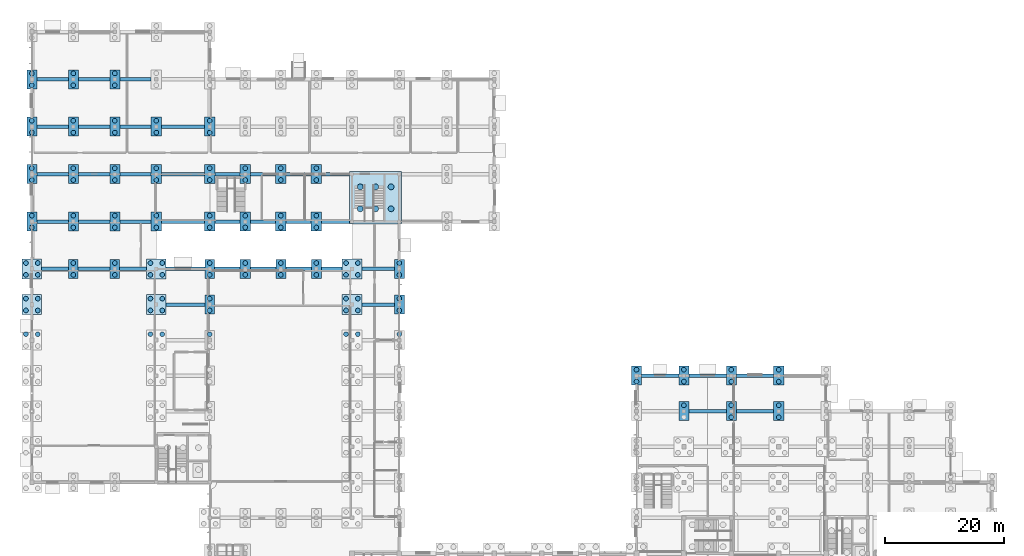
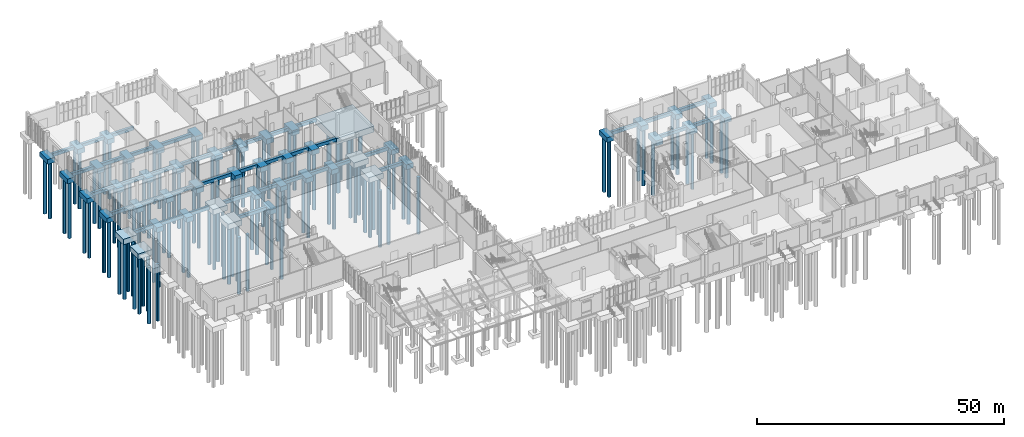
# One storey, part 3 of 69: 117 piles, 86 footings.
"""IFC4 building model written with IfcOpenShell, lengths in metres."""

from ifc_helpers import new_model, si_unit, direction, frame, origin, origin_2d, place, context, subcontext, project, spatial, rectangle, circle, extrude, material, material_profile, profile_set, type_object, element, save


model = new_model("IFC4")

# Units and contexts
model_context = context("Model", 3, precision=1e-05, world=origin(), true_north=direction((0.0, 1.0)))
body_context = subcontext(model_context, "Body", "Model", "MODEL_VIEW")
ifc_project = project(units=[si_unit("LENGTHUNIT", "METRE"), si_unit("AREAUNIT", "SQUARE_METRE"), si_unit("VOLUMEUNIT", "CUBIC_METRE"), si_unit("PLANEANGLEUNIT", "RADIAN"), si_unit("MASSUNIT", "GRAM", prefix="KILO")], contexts=[model_context])

# Site, building, storey
site_placement = place(None, origin())
site = spatial("IfcSite", under=ifc_project, at=site_placement, CompositionType="ELEMENT")
building_placement = place(site_placement, origin())
building = spatial("IfcBuilding", under=site, at=building_placement, Name="Solvane Community Centre", CompositionType="ELEMENT")
storey_placement = place(building_placement, origin())
storey = spatial("IfcBuildingStorey", under=building, at=storey_placement, Name="L00", CompositionType="ELEMENT", Elevation=0.0)

# Piles
ifc_material = material(Name="Concrete C28/35", Category="concrete")
ifc_material_profile_1 = material_profile(ifc_material, circle(Radius=0.5, at=origin_2d()), Name="PILE D1000")
ifc_profile_set_1 = profile_set([ifc_material_profile_1], Name="Concrete C28/35")
pile_type_1 = type_object("IfcPileType", Name="Bored Saprolite Pile D1000", PredefinedType="BORED", material=ifc_profile_set_1)
for number, where, z_axis, x_axis, name in (
    (1, (61.39990234375, 88.14990234375, -1.679931640625), (0.0, 0.0, -1.0), (1.0, 0.0, 0.0), "Bored Pile PILE-C7-11"),
    (2, (61.39990234375, 91.85009765625, -1.679931640625), (0.0, 0.0, -1.0), (1.0, 0.0, 0.0), "Bored Pile PILE-C7-12"),
    (3, (64.0, 88.14990234375, -1.679931640625), (0.0, 0.0, -1.0), (1.0, 0.0, 0.0), "Bored Pile PILE-C7-21"),
    (4, (64.0, 91.85009765625, -1.679931640625), (0.0, 0.0, -1.0), (1.0, 0.0, 0.0), "Bored Pile PILE-C7-22"),
    (5, (66.60009765625, 88.14990234375, -1.679931640625), (0.0, 0.0, -1.0), (1.0, 0.0, 0.0), "Bored Pile PILE-C7-31"),
    (6, (66.60009765625, 91.85009765625, -1.679931640625), (0.0, 0.0, -1.0), (1.0, 0.0, 0.0), "Bored Pile PILE-C7-32"),
):
    element("IfcPile", number, at=place(storey_placement, frame(where, z_axis=z_axis, x_axis=x_axis)), inside=storey, type_object=pile_type_1, Name=name, PredefinedType="BORED", context=body_context, shape_type="SweptSolid", body=[
        extrude(circle(Radius=0.5, at=origin_2d()), origin(), (0.0, 0.0, 1.0), 14.0),
    ])
ifc_material_profile_2 = material_profile(ifc_material, circle(Radius=0.39990234375, at=origin_2d()), Name="PILE D800")
ifc_profile_set_2 = profile_set([ifc_material_profile_2], Name="Concrete C28/35")
pile_type_2 = type_object("IfcPileType", Name="Bored Saprolite Pile D800", PredefinedType="BORED", material=ifc_profile_set_2)
for number, where, z_axis, x_axis, name in (
    (7, (5.0, 67.0, -1.530029296875), (0.0, 0.0, -1.0), (1.0, 0.0, 0.0), "Bored Pile PILE-1-K-3"),
    (8, (7.0, 67.0, -1.530029296875), (0.0, 0.0, -1.0), (1.0, 0.0, 0.0), "Bored Pile PILE-1-K-4"),
    (9, (5.0, 71.0, -1.530029296875), (0.0, 0.0, -1.0), (1.0, 0.0, 0.0), "Bored Pile PILE-1-L-1"),
    (10, (7.0, 71.0, -1.530029296875), (0.0, 0.0, -1.0), (1.0, 0.0, 0.0), "Bored Pile PILE-1-L-2"),
    (11, (5.0, 73.0, -1.530029296875), (0.0, 0.0, -1.0), (1.0, 0.0, 0.0), "Bored Pile PILE-1-L-3"),
    (12, (7.0, 73.0, -1.530029296875), (0.0, 0.0, -1.0), (1.0, 0.0, 0.0), "Bored Pile PILE-1-L-4"),
    (13, (5.0, 77.0, -1.530029296875), (0.0, 0.0, -1.0), (1.0, 0.0, 0.0), "Bored Pile PILE-1-M-1"),
    (14, (7.0, 77.0, -1.530029296875), (0.0, 0.0, -1.0), (1.0, 0.0, 0.0), "Bored Pile PILE-1-M-2"),
    (15, (5.0, 79.0, -1.530029296875), (0.0, 0.0, -1.0), (1.0, 0.0, 0.0), "Bored Pile PILE-1-M-3"),
    (16, (7.0, 79.0, -1.530029296875), (0.0, 0.0, -1.0), (1.0, 0.0, 0.0), "Bored Pile PILE-1-M-4"),
    (17, (6.0, 85.0, -1.3798828125), (0.0, 0.0, -1.0), (1.0, 0.0, 0.0), "Bored Pile PILE-1-N-1"),
    (18, (6.0, 87.0, -1.3798828125), (0.0, 0.0, -1.0), (1.0, 0.0, 0.0), "Bored Pile PILE-1-N-2"),
    (19, (6.0, 93.0, -1.3798828125), (0.0, 0.0, -1.0), (1.0, 0.0, 0.0), "Bored Pile PILE-1-P-1"),
    (20, (6.0, 95.0, -1.3798828125), (0.0, 0.0, -1.0), (1.0, 0.0, 0.0), "Bored Pile PILE-1-P-2"),
    (21, (6.0, 101.0, -1.3798828125), (0.0, 0.0, -1.0), (1.0, 0.0, 0.0), "Bored Pile PILE-1-Q-1"),
    (22, (6.0, 103.0, -1.3798828125), (0.0, 0.0, -1.0), (1.0, 0.0, 0.0), "Bored Pile PILE-1-Q-2"),
    (23, (6.0, 109.0, -1.3798828125), (0.0, 0.0, -1.0), (1.0, 0.0, 0.0), "Bored Pile PILE-1-R-1"),
    (24, (6.0, 111.0, -1.3798828125), (0.0, 0.0, -1.0), (1.0, 0.0, 0.0), "Bored Pile PILE-1-R-2"),
    (25, (13.0, 77.0, -1.3798828125), (0.0, 0.0, -1.0), (1.0, 0.0, 0.0), "Bored Pile PILE-2-M-1"),
    (26, (13.0, 79.0, -1.3798828125), (0.0, 0.0, -1.0), (1.0, 0.0, 0.0), "Bored Pile PILE-2-M-2"),
    (27, (13.0, 85.0, -1.3798828125), (0.0, 0.0, -1.0), (1.0, 0.0, 0.0), "Bored Pile PILE-2-N-1"),
    (28, (13.0, 87.0, -1.3798828125), (0.0, 0.0, -1.0), (1.0, 0.0, 0.0), "Bored Pile PILE-2-N-2"),
    (29, (13.0, 93.0, -1.3798828125), (0.0, 0.0, -1.0), (1.0, 0.0, 0.0), "Bored Pile PILE-2-P-1"),
    (30, (13.0, 95.0, -1.3798828125), (0.0, 0.0, -1.0), (1.0, 0.0, 0.0), "Bored Pile PILE-2-P-2"),
    (31, (13.0, 101.0, -1.3798828125), (0.0, 0.0, -1.0), (1.0, 0.0, 0.0), "Bored Pile PILE-2-Q-1"),
    (32, (13.0, 103.0, -1.3798828125), (0.0, 0.0, -1.0), (1.0, 0.0, 0.0), "Bored Pile PILE-2-Q-2"),
    (33, (13.0, 109.0, -1.3798828125), (0.0, 0.0, -1.0), (1.0, 0.0, 0.0), "Bored Pile PILE-2-R-1"),
    (34, (13.0, 111.0, -1.3798828125), (0.0, 0.0, -1.0), (1.0, 0.0, 0.0), "Bored Pile PILE-2-R-2"),
    (35, (20.0, 77.0, -1.3798828125), (0.0, 0.0, -1.0), (1.0, 0.0, 0.0), "Bored Pile PILE-4-M-1"),
    (36, (20.0, 79.0, -1.3798828125), (0.0, 0.0, -1.0), (1.0, 0.0, 0.0), "Bored Pile PILE-4-M-2"),
    (37, (20.0, 85.0, -1.3798828125), (0.0, 0.0, -1.0), (1.0, 0.0, 0.0), "Bored Pile PILE-4-N-1"),
    (38, (20.0, 87.0, -1.3798828125), (0.0, 0.0, -1.0), (1.0, 0.0, 0.0), "Bored Pile PILE-4-N-2"),
    (39, (20.0, 93.0, -1.3798828125), (0.0, 0.0, -1.0), (1.0, 0.0, 0.0), "Bored Pile PILE-4-P-1"),
    (40, (20.0, 95.0, -1.3798828125), (0.0, 0.0, -1.0), (1.0, 0.0, 0.0), "Bored Pile PILE-4-P-2"),
    (41, (20.0, 101.0, -1.3798828125), (0.0, 0.0, -1.0), (1.0, 0.0, 0.0), "Bored Pile PILE-4-Q-1"),
    (42, (20.0, 103.0, -1.3798828125), (0.0, 0.0, -1.0), (1.0, 0.0, 0.0), "Bored Pile PILE-4-Q-2"),
    (43, (20.0, 109.0, -1.3798828125), (0.0, 0.0, -1.0), (1.0, 0.0, 0.0), "Bored Pile PILE-4-R-1"),
    (44, (20.0, 111.0, -1.3798828125), (0.0, 0.0, -1.0), (1.0, 0.0, 0.0), "Bored Pile PILE-4-R-2"),
    (45, (26.0, 67.0, -1.530029296875), (0.0, 0.0, -1.0), (1.0, 0.0, 0.0), "Bored Pile PILE-5-K-3"),
    (46, (28.0, 67.0, -1.530029296875), (0.0, 0.0, -1.0), (1.0, 0.0, 0.0), "Bored Pile PILE-5-K-4"),
    (47, (26.0, 71.0, -1.530029296875), (0.0, 0.0, -1.0), (1.0, 0.0, 0.0), "Bored Pile PILE-5-L-1"),
    (48, (28.0, 71.0, -1.530029296875), (0.0, 0.0, -1.0), (1.0, 0.0, 0.0), "Bored Pile PILE-5-L-2"),
    (49, (26.0, 73.0, -1.530029296875), (0.0, 0.0, -1.0), (1.0, 0.0, 0.0), "Bored Pile PILE-5-L-3"),
    (50, (28.0, 73.0, -1.530029296875), (0.0, 0.0, -1.0), (1.0, 0.0, 0.0), "Bored Pile PILE-5-L-4"),
    (51, (26.0, 77.0, -1.530029296875), (0.0, 0.0, -1.0), (1.0, 0.0, 0.0), "Bored Pile PILE-5-M-1"),
    (52, (28.0, 77.0, -1.530029296875), (0.0, 0.0, -1.0), (1.0, 0.0, 0.0), "Bored Pile PILE-5-M-2"),
    (53, (26.0, 79.0, -1.530029296875), (0.0, 0.0, -1.0), (1.0, 0.0, 0.0), "Bored Pile PILE-5-M-3"),
    (54, (28.0, 79.0, -1.530029296875), (0.0, 0.0, -1.0), (1.0, 0.0, 0.0), "Bored Pile PILE-5-M-4"),
    (55, (27.0, 85.0, -1.429931640625), (0.0, 0.0, -1.0), (1.0, 0.0, 0.0), "Bored Pile PILE-5-N-1"),
    (56, (27.0, 87.0, -1.429931640625), (0.0, 0.0, -1.0), (1.0, 0.0, 0.0), "Bored Pile PILE-5-N-2"),
    (57, (27.0, 93.0, -1.429931640625), (0.0, 0.0, -1.0), (1.0, 0.0, 0.0), "Bored Pile PILE-5-P-1"),
    (58, (27.0, 95.0, -1.429931640625), (0.0, 0.0, -1.0), (1.0, 0.0, 0.0), "Bored Pile PILE-5-P-2"),
    (59, (27.0, 101.0, -1.429931640625), (0.0, 0.0, -1.0), (1.0, 0.0, 0.0), "Bored Pile PILE-5-Q-1"),
    (60, (27.0, 103.0, -1.429931640625), (0.0, 0.0, -1.0), (1.0, 0.0, 0.0), "Bored Pile PILE-5-Q-2"),
    (61, (36.0, 67.0, -1.3798828125), (0.0, 0.0, -1.0), (1.0, 0.0, 0.0), "Bored Pile PILE-6-K-2"),
    (62, (36.0, 71.0, -1.3798828125), (0.0, 0.0, -1.0), (1.0, 0.0, 0.0), "Bored Pile PILE-6-L-1"),
    (63, (36.0, 73.0, -1.3798828125), (0.0, 0.0, -1.0), (1.0, 0.0, 0.0), "Bored Pile PILE-6-L-2"),
    (64, (36.0, 77.0, -1.3798828125), (0.0, 0.0, -1.0), (1.0, 0.0, 0.0), "Bored Pile PILE-6-M-1"),
    (65, (36.0, 79.0, -1.3798828125), (0.0, 0.0, -1.0), (1.0, 0.0, 0.0), "Bored Pile PILE-6-M-2"),
    (66, (36.0, 85.0, -1.429931640625), (0.0, 0.0, -1.0), (1.0, 0.0, 0.0), "Bored Pile PILE-6-N-1"),
    (67, (36.0, 87.0, -1.429931640625), (0.0, 0.0, -1.0), (1.0, 0.0, 0.0), "Bored Pile PILE-6-N-2"),
    (68, (36.0, 93.0, -1.429931640625), (0.0, 0.0, -1.0), (1.0, 0.0, 0.0), "Bored Pile PILE-6-P-1"),
    (69, (36.0, 95.0, -1.429931640625), (0.0, 0.0, -1.0), (1.0, 0.0, 0.0), "Bored Pile PILE-6-P-2"),
    (70, (36.0, 101.0, -1.429931640625), (0.0, 0.0, -1.0), (1.0, 0.0, 0.0), "Bored Pile PILE-6-Q-1"),
    (71, (36.0, 103.0, -1.429931640625), (0.0, 0.0, -1.0), (1.0, 0.0, 0.0), "Bored Pile PILE-6-Q-2"),
    (72, (42.0, 77.0, -1.3798828125), (0.0, 0.0, -1.0), (1.0, 0.0, 0.0), "Bored Pile PILE-7-M-1"),
    (73, (42.0, 79.0, -1.3798828125), (0.0, 0.0, -1.0), (1.0, 0.0, 0.0), "Bored Pile PILE-7-M-2"),
    (74, (42.0, 85.0, -1.429931640625), (0.0, 0.0, -1.0), (1.0, 0.0, 0.0), "Bored Pile PILE-7-N-1"),
    (75, (42.0, 87.0, -1.429931640625), (0.0, 0.0, -1.0), (1.0, 0.0, 0.0), "Bored Pile PILE-7-N-2"),
    (76, (42.0, 93.0, -1.429931640625), (0.0, 0.0, -1.0), (1.0, 0.0, 0.0), "Bored Pile PILE-7-P-1"),
    (77, (42.0, 95.0, -1.429931640625), (0.0, 0.0, -1.0), (1.0, 0.0, 0.0), "Bored Pile PILE-7-P-2"),
    (78, (48.0, 77.0, -1.3798828125), (0.0, 0.0, -1.0), (1.0, 0.0, 0.0), "Bored Pile PILE-8-M-1"),
    (79, (48.0, 79.0, -1.3798828125), (0.0, 0.0, -1.0), (1.0, 0.0, 0.0), "Bored Pile PILE-8-M-2"),
    (80, (48.0, 85.0, -1.429931640625), (0.0, 0.0, -1.0), (1.0, 0.0, 0.0), "Bored Pile PILE-8-N-1"),
    (81, (48.0, 87.0, -1.429931640625), (0.0, 0.0, -1.0), (1.0, 0.0, 0.0), "Bored Pile PILE-8-N-2"),
    (82, (48.0, 93.0, -1.429931640625), (0.0, 0.0, -1.0), (1.0, 0.0, 0.0), "Bored Pile PILE-8-P-1"),
    (83, (48.0, 95.0, -1.429931640625), (0.0, 0.0, -1.0), (1.0, 0.0, 0.0), "Bored Pile PILE-8-P-2"),
    (84, (54.0, 77.0, -1.3798828125), (0.0, 0.0, -1.0), (1.0, 0.0, 0.0), "Bored Pile PILE-9-M-1"),
    (85, (54.0, 79.0, -1.3798828125), (0.0, 0.0, -1.0), (1.0, 0.0, 0.0), "Bored Pile PILE-9-M-2"),
    (86, (54.0, 85.0, -1.429931640625), (0.0, 0.0, -1.0), (1.0, 0.0, 0.0), "Bored Pile PILE-9-N-1"),
    (87, (54.0, 87.0, -1.429931640625), (0.0, 0.0, -1.0), (1.0, 0.0, 0.0), "Bored Pile PILE-9-N-2"),
    (88, (54.0, 93.0, -1.429931640625), (0.0, 0.0, -1.0), (1.0, 0.0, 0.0), "Bored Pile PILE-9-P-1"),
    (89, (54.0, 95.0, -1.429931640625), (0.0, 0.0, -1.0), (1.0, 0.0, 0.0), "Bored Pile PILE-9-P-2"),
    (90, (59.0, 67.0, -1.530029296875), (0.0, 0.0, -1.0), (1.0, 0.0, 0.0), "Bored Pile PILE-10-K-3"),
    (91, (61.0, 67.0, -1.530029296875), (0.0, 0.0, -1.0), (1.0, 0.0, 0.0), "Bored Pile PILE-10-K-4"),
    (92, (59.0, 71.0, -1.530029296875), (0.0, 0.0, -1.0), (1.0, 0.0, 0.0), "Bored Pile PILE-10-L-1"),
    (93, (61.0, 71.0, -1.530029296875), (0.0, 0.0, -1.0), (1.0, 0.0, 0.0), "Bored Pile PILE-10-L-2"),
    (94, (59.0, 73.0, -1.530029296875), (0.0, 0.0, -1.0), (1.0, 0.0, 0.0), "Bored Pile PILE-10-L-3"),
    (95, (61.0, 73.0, -1.530029296875), (0.0, 0.0, -1.0), (1.0, 0.0, 0.0), "Bored Pile PILE-10-L-4"),
    (96, (59.0, 77.0, -1.530029296875), (0.0, 0.0, -1.0), (1.0, 0.0, 0.0), "Bored Pile PILE-10-M-1"),
    (97, (61.0, 77.0, -1.530029296875), (0.0, 0.0, -1.0), (1.0, 0.0, 0.0), "Bored Pile PILE-10-M-2"),
    (98, (59.0, 79.0, -1.530029296875), (0.0, 0.0, -1.0), (1.0, 0.0, 0.0), "Bored Pile PILE-10-M-3"),
    (99, (61.0, 79.0, -1.530029296875), (0.0, 0.0, -1.0), (1.0, 0.0, 0.0), "Bored Pile PILE-10-M-4"),
    (100, (68.0, 67.0, -1.3798828125), (0.0, 0.0, -1.0), (1.0, 0.0, 0.0), "Bored Pile PILE-11-K-2"),
    (101, (68.0, 71.0, -1.3798828125), (0.0, 0.0, -1.0), (1.0, 0.0, 0.0), "Bored Pile PILE-11-L-1"),
    (102, (68.0, 73.0, -1.3798828125), (0.0, 0.0, -1.0), (1.0, 0.0, 0.0), "Bored Pile PILE-11-L-2"),
    (103, (68.0, 77.0, -1.3798828125), (0.0, 0.0, -1.0), (1.0, 0.0, 0.0), "Bored Pile PILE-11-M-1"),
    (104, (68.0, 79.0, -1.3798828125), (0.0, 0.0, -1.0), (1.0, 0.0, 0.0), "Bored Pile PILE-11-M-2"),
    (105, (108.0, 59.0, -1.3798828125), (0.0, 0.0, -1.0), (1.0, 0.0, 0.0), "Bored Pile PILE-16-J-1"),
    (106, (108.0, 61.0, -1.3798828125), (0.0, 0.0, -1.0), (1.0, 0.0, 0.0), "Bored Pile PILE-16-J-2"),
    (107, (116.0, 55.0, -1.429931640625), (0.0, 0.0, -1.0), (1.0, 0.0, 0.0), "Bored Pile PILE-17-H-2"),
    (108, (116.0, 59.0, -1.429931640625), (0.0, 0.0, -1.0), (1.0, 0.0, 0.0), "Bored Pile PILE-17-J-1"),
    (109, (116.0, 61.0, -1.429931640625), (0.0, 0.0, -1.0), (1.0, 0.0, 0.0), "Bored Pile PILE-17-J-2"),
    (110, (124.0, 53.0, -1.429931640625), (0.0, 0.0, -1.0), (1.0, 0.0, 0.0), "Bored Pile PILE-18-H-1"),
    (111, (124.0, 55.0, -1.429931640625), (0.0, 0.0, -1.0), (1.0, 0.0, 0.0), "Bored Pile PILE-18-H-2"),
    (112, (124.0, 59.0, -1.429931640625), (0.0, 0.0, -1.0), (1.0, 0.0, 0.0), "Bored Pile PILE-18-J-1"),
    (113, (124.0, 61.0, -1.429931640625), (0.0, 0.0, -1.0), (1.0, 0.0, 0.0), "Bored Pile PILE-18-J-2"),
    (114, (132.0, 53.0, -1.429931640625), (0.0, 0.0, -1.0), (1.0, 0.0, 0.0), "Bored Pile PILE-19-H-1"),
    (115, (132.0, 55.0, -1.429931640625), (0.0, 0.0, -1.0), (1.0, 0.0, 0.0), "Bored Pile PILE-19-H-2"),
    (116, (132.0, 59.0, -1.429931640625), (0.0, 0.0, -1.0), (1.0, 0.0, 0.0), "Bored Pile PILE-19-J-1"),
    (117, (132.0, 61.0, -1.429931640625), (0.0, 0.0, -1.0), (1.0, 0.0, 0.0), "Bored Pile PILE-19-J-2"),
):
    element("IfcPile", number, at=place(storey_placement, frame(where, z_axis=z_axis, x_axis=x_axis)), inside=storey, type_object=pile_type_2, Name=name, PredefinedType="BORED", context=body_context, shape_type="SweptSolid", body=[
        extrude(circle(Radius=0.39990234375, at=origin_2d()), origin(), (0.0, 0.0, 1.0), 14.0),
    ])

# Footings
footing_type_1 = type_object("IfcFootingType", Name="Core Mat Cap MC1 8800x8800x1500", PredefinedType="PILE_CAP", material=ifc_material)
footing_1_placement = place(storey_placement, frame((64.0, 90.0, -1.780029296875), z_axis=(0.0, 0.0, 1.0), x_axis=(1.0, 0.0, 0.0)))
element("IfcFooting", 118, at=footing_1_placement, inside=storey, type_object=footing_type_1, Name="Core Pile Cap C7", PredefinedType="PILE_CAP", context=body_context, shape_type="SweptSolid", body=[
    extrude(rectangle(XDim=8.800048828125, YDim=8.800048828125, at=origin_2d()), origin(), (0.0, 0.0, 1.0), 1.5),
])
footing_type_2 = type_object("IfcFootingType", Name="Pile Cap 160x320x120cm", PredefinedType="PILE_CAP", material=ifc_material)
for number, where, z_axis, x_axis, name in (
    (119, (13.0, 78.0, -1.47998046875), (0.0, 0.0, 1.0), (1.0, 0.0, 0.0), "Pile Cap 2M"),
    (120, (20.0, 78.0, -1.47998046875), (0.0, 0.0, 1.0), (1.0, 0.0, 0.0), "Pile Cap 4M"),
    (121, (36.0, 72.0, -1.47998046875), (0.0, 0.0, 1.0), (1.0, 0.0, 0.0), "Pile Cap 6L"),
    (122, (36.0, 78.0, -1.47998046875), (0.0, 0.0, 1.0), (1.0, 0.0, 0.0), "Pile Cap 6M"),
):
    element("IfcFooting", number, at=place(storey_placement, frame(where, z_axis=z_axis, x_axis=x_axis)), inside=storey, type_object=footing_type_2, Name=name, PredefinedType="PILE_CAP", context=body_context, shape_type="SweptSolid", body=[
        extrude(rectangle(XDim=1.60009765625, YDim=3.199951171875, at=origin_2d()), origin(), (0.0, 0.0, 1.0), 1.199951171875),
    ])
footing_type_3 = type_object("IfcFootingType", Name="Pile Cap 170x320x120cm", PredefinedType="PILE_CAP", material=ifc_material)
for number, where, z_axis, x_axis, name in (
    (123, (6.0, 86.0, -1.47998046875), (0.0, 0.0, 1.0), (1.0, 0.0, 0.0), "Pile Cap 1N"),
    (124, (6.0, 94.0, -1.47998046875), (0.0, 0.0, 1.0), (1.0, 0.0, 0.0), "Pile Cap 1P"),
    (125, (6.0, 102.0, -1.47998046875), (0.0, 0.0, 1.0), (1.0, 0.0, 0.0), "Pile Cap 1Q"),
    (126, (6.0, 110.0, -1.47998046875), (0.0, 0.0, 1.0), (1.0, 0.0, 0.0), "Pile Cap 1R"),
    (127, (13.0, 86.0, -1.47998046875), (0.0, 0.0, 1.0), (1.0, 0.0, 0.0), "Pile Cap 2N"),
    (128, (13.0, 94.0, -1.47998046875), (0.0, 0.0, 1.0), (1.0, 0.0, 0.0), "Pile Cap 2P"),
    (129, (13.0, 102.0, -1.47998046875), (0.0, 0.0, 1.0), (1.0, 0.0, 0.0), "Pile Cap 2Q"),
    (130, (13.0, 110.0, -1.47998046875), (0.0, 0.0, 1.0), (1.0, 0.0, 0.0), "Pile Cap 2R"),
    (131, (20.0, 86.0, -1.47998046875), (0.0, 0.0, 1.0), (1.0, 0.0, 0.0), "Pile Cap 4N"),
    (132, (20.0, 94.0, -1.47998046875), (0.0, 0.0, 1.0), (1.0, 0.0, 0.0), "Pile Cap 4P"),
    (133, (20.0, 102.0, -1.47998046875), (0.0, 0.0, 1.0), (1.0, 0.0, 0.0), "Pile Cap 4Q"),
    (134, (20.0, 110.0, -1.47998046875), (0.0, 0.0, 1.0), (1.0, 0.0, 0.0), "Pile Cap 4R"),
    (135, (42.0, 78.0, -1.47998046875), (0.0, 0.0, 1.0), (1.0, 0.0, 0.0), "Pile Cap 7M"),
    (136, (48.0, 78.0, -1.47998046875), (0.0, 0.0, 1.0), (1.0, 0.0, 0.0), "Pile Cap 8M"),
    (137, (54.0, 78.0, -1.47998046875), (0.0, 0.0, 1.0), (1.0, 0.0, 0.0), "Pile Cap 9M"),
    (138, (68.0, 72.0, -1.47998046875), (0.0, 0.0, 1.0), (1.0, 0.0, 0.0), "Pile Cap 11L"),
    (139, (68.0, 78.0, -1.47998046875), (0.0, 0.0, 1.0), (1.0, 0.0, 0.0), "Pile Cap 11M"),
    (140, (108.0, 60.0, -1.47998046875), (0.0, 0.0, 1.0), (1.0, 0.0, 0.0), "Pile Cap 16J"),
):
    element("IfcFooting", number, at=place(storey_placement, frame(where, z_axis=z_axis, x_axis=x_axis)), inside=storey, type_object=footing_type_3, Name=name, PredefinedType="PILE_CAP", context=body_context, shape_type="SweptSolid", body=[
        extrude(rectangle(XDim=1.699951171875, YDim=3.199951171875, at=origin_2d()), origin(), (0.0, 0.0, 1.0), 1.199951171875),
    ])
footing_type_4 = type_object("IfcFootingType", Name="Pile Cap 170x320x125cm", PredefinedType="PILE_CAP", material=ifc_material)
for number, where, z_axis, x_axis, name in (
    (141, (116.0, 54.0, -1.530029296875), (0.0, 0.0, 1.0), (1.0, 0.0, 0.0), "Pile Cap 17H"),
    (142, (116.0, 60.0, -1.530029296875), (0.0, 0.0, 1.0), (1.0, 0.0, 0.0), "Pile Cap 17J"),
    (143, (124.0, 54.0, -1.530029296875), (0.0, 0.0, 1.0), (1.0, 0.0, 0.0), "Pile Cap 18H"),
    (144, (124.0, 60.0, -1.530029296875), (0.0, 0.0, 1.0), (1.0, 0.0, 0.0), "Pile Cap 18J"),
    (145, (132.0, 54.0, -1.530029296875), (0.0, 0.0, 1.0), (1.0, 0.0, 0.0), "Pile Cap 19H"),
    (146, (132.0, 60.0, -1.530029296875), (0.0, 0.0, 1.0), (1.0, 0.0, 0.0), "Pile Cap 19J"),
):
    element("IfcFooting", number, at=place(storey_placement, frame(where, z_axis=z_axis, x_axis=x_axis)), inside=storey, type_object=footing_type_4, Name=name, PredefinedType="PILE_CAP", context=body_context, shape_type="SweptSolid", body=[
        extrude(rectangle(XDim=1.699951171875, YDim=3.199951171875, at=origin_2d()), origin(), (0.0, 0.0, 1.0), 1.25),
    ])
footing_type_5 = type_object("IfcFootingType", Name="Pile Cap 180x320x125cm", PredefinedType="PILE_CAP", material=ifc_material)
for number, where, z_axis, x_axis, name in (
    (147, (27.0, 86.0, -1.530029296875), (0.0, 0.0, 1.0), (1.0, 0.0, 0.0), "Pile Cap 5N"),
    (148, (27.0, 94.0, -1.530029296875), (0.0, 0.0, 1.0), (1.0, 0.0, 0.0), "Pile Cap 5P"),
    (149, (27.0, 102.0, -1.530029296875), (0.0, 0.0, 1.0), (1.0, 0.0, 0.0), "Pile Cap 5Q"),
    (150, (36.0, 86.0, -1.530029296875), (0.0, 0.0, 1.0), (1.0, 0.0, 0.0), "Pile Cap 6N"),
    (151, (36.0, 94.0, -1.530029296875), (0.0, 0.0, 1.0), (1.0, 0.0, 0.0), "Pile Cap 6P"),
    (152, (36.0, 102.0, -1.530029296875), (0.0, 0.0, 1.0), (1.0, 0.0, 0.0), "Pile Cap 6Q"),
    (153, (42.0, 86.0, -1.530029296875), (0.0, 0.0, 1.0), (1.0, 0.0, 0.0), "Pile Cap 7N"),
    (154, (42.0, 94.0, -1.530029296875), (0.0, 0.0, 1.0), (1.0, 0.0, 0.0), "Pile Cap 7P"),
    (155, (48.0, 86.0, -1.530029296875), (0.0, 0.0, 1.0), (1.0, 0.0, 0.0), "Pile Cap 8N"),
    (156, (48.0, 94.0, -1.530029296875), (0.0, 0.0, 1.0), (1.0, 0.0, 0.0), "Pile Cap 8P"),
    (157, (54.0, 86.0, -1.530029296875), (0.0, 0.0, 1.0), (1.0, 0.0, 0.0), "Pile Cap 9N"),
    (158, (54.0, 94.0, -1.530029296875), (0.0, 0.0, 1.0), (1.0, 0.0, 0.0), "Pile Cap 9P"),
):
    element("IfcFooting", number, at=place(storey_placement, frame(where, z_axis=z_axis, x_axis=x_axis)), inside=storey, type_object=footing_type_5, Name=name, PredefinedType="PILE_CAP", context=body_context, shape_type="SweptSolid", body=[
        extrude(rectangle(XDim=1.800048828125, YDim=3.199951171875, at=origin_2d()), origin(), (0.0, 0.0, 1.0), 1.25),
    ])
footing_type_6 = type_object("IfcFootingType", Name="Pile Cap 330x340x135cm", PredefinedType="PILE_CAP", material=ifc_material)
for number, where, z_axis, x_axis, name in (
    (159, (6.0, 72.0, -1.630126953125), (0.0, 0.0, 1.0), (1.0, 0.0, 0.0), "Pile Cap 1L"),
    (160, (6.0, 78.0, -1.630126953125), (0.0, 0.0, 1.0), (1.0, 0.0, 0.0), "Pile Cap 1M"),
    (161, (27.0, 72.0, -1.630126953125), (0.0, 0.0, 1.0), (1.0, 0.0, 0.0), "Pile Cap 5L"),
    (162, (27.0, 78.0, -1.630126953125), (0.0, 0.0, 1.0), (1.0, 0.0, 0.0), "Pile Cap 5M"),
):
    element("IfcFooting", number, at=place(storey_placement, frame(where, z_axis=z_axis, x_axis=x_axis)), inside=storey, type_object=footing_type_6, Name=name, PredefinedType="PILE_CAP", context=body_context, shape_type="SweptSolid", body=[
        extrude(rectangle(XDim=3.300048828125, YDim=3.39990234375, at=origin_2d()), origin(), (0.0, 0.0, 1.0), 1.35009765625),
    ])
footing_type_7 = type_object("IfcFootingType", Name="Pile Cap 340x340x135cm", PredefinedType="PILE_CAP", material=ifc_material)
for number, where, z_axis, x_axis, name in (
    (163, (60.0, 72.0, -1.630126953125), (0.0, 0.0, 1.0), (1.0, 0.0, 0.0), "Pile Cap 10L"),
    (164, (60.0, 78.0, -1.630126953125), (0.0, 0.0, 1.0), (1.0, 0.0, 0.0), "Pile Cap 10M"),
):
    element("IfcFooting", number, at=place(storey_placement, frame(where, z_axis=z_axis, x_axis=x_axis)), inside=storey, type_object=footing_type_7, Name=name, PredefinedType="PILE_CAP", context=body_context, shape_type="SweptSolid", body=[
        extrude(rectangle(XDim=3.39990234375, YDim=3.39990234375, at=origin_2d()), origin(), (0.0, 0.0, 1.0), 1.35009765625),
    ])
footing_type_8 = type_object("IfcFootingType", Name="Seismic Ground Tie Beam 600x800 L34dm", PredefinedType="FOOTING_BEAM", material=ifc_material)
footing_2_placement = place(storey_placement, frame((56.574951171875, 78.0, -1.080078125), z_axis=(0.0, 0.0, 1.0), x_axis=(1.0, 0.0, 0.0)))
element("IfcFooting", 165, at=footing_2_placement, inside=storey, type_object=footing_type_8, Name="Ground Tie Beam FTG-GTB-X-105", PredefinedType="FOOTING_BEAM", context=body_context, shape_type="SweptSolid", body=[
    extrude(rectangle(XDim=3.449951171875, YDim=0.60009765625, at=origin_2d()), origin(), (0.0, 0.0, 1.0), 0.800048828125),
])
footing_type_9 = type_object("IfcFootingType", Name="Seismic Ground Tie Beam 600x800 L42dm", PredefinedType="FOOTING_BEAM", material=ifc_material)
for number, where, z_axis, x_axis, name in (
    (166, (39.0, 86.0, -1.080078125), (0.0, 0.0, 1.0), (1.0, 0.0, 0.0), "Ground Tie Beam FTG-GTB-X-111"),
    (167, (45.0, 86.0, -1.080078125), (0.0, 0.0, 1.0), (1.0, 0.0, 0.0), "Ground Tie Beam FTG-GTB-X-112"),
    (168, (51.0, 86.0, -1.080078125), (0.0, 0.0, 1.0), (1.0, 0.0, 0.0), "Ground Tie Beam FTG-GTB-X-113"),
    (169, (39.0, 94.0, -1.080078125), (0.0, 0.0, 1.0), (1.0, 0.0, 0.0), "Ground Tie Beam FTG-GTB-X-121"),
    (170, (45.0, 94.0, -1.080078125), (0.0, 0.0, 1.0), (1.0, 0.0, 0.0), "Ground Tie Beam FTG-GTB-X-122"),
    (171, (51.0, 94.0, -1.080078125), (0.0, 0.0, 1.0), (1.0, 0.0, 0.0), "Ground Tie Beam FTG-GTB-X-123"),
):
    element("IfcFooting", number, at=place(storey_placement, frame(where, z_axis=z_axis, x_axis=x_axis)), inside=storey, type_object=footing_type_9, Name=name, PredefinedType="FOOTING_BEAM", context=body_context, shape_type="SweptSolid", body=[
        extrude(rectangle(XDim=4.199951171875, YDim=0.60009765625, at=origin_2d()), origin(), (0.0, 0.0, 1.0), 0.800048828125),
    ])
footing_type_10 = type_object("IfcFootingType", Name="Seismic Ground Tie Beam 600x800 L43dm", PredefinedType="FOOTING_BEAM", material=ifc_material)
for number, where, z_axis, x_axis, name in (
    (172, (45.0, 78.0, -1.080078125), (0.0, 0.0, 1.0), (1.0, 0.0, 0.0), "Ground Tie Beam FTG-GTB-X-103"),
    (173, (51.0, 78.0, -1.080078125), (0.0, 0.0, 1.0), (1.0, 0.0, 0.0), "Ground Tie Beam FTG-GTB-X-104"),
):
    element("IfcFooting", number, at=place(storey_placement, frame(where, z_axis=z_axis, x_axis=x_axis)), inside=storey, type_object=footing_type_10, Name=name, PredefinedType="FOOTING_BEAM", context=body_context, shape_type="SweptSolid", body=[
        extrude(rectangle(XDim=4.300048828125, YDim=0.60009765625, at=origin_2d()), origin(), (0.0, 0.0, 1.0), 0.800048828125),
    ])
footing_type_11 = type_object("IfcFootingType", Name="Seismic Ground Tie Beam 600x800 L44dm", PredefinedType="FOOTING_BEAM", material=ifc_material)
footing_3_placement = place(storey_placement, frame((38.97509765625, 78.0, -1.080078125), z_axis=(0.0, 0.0, 1.0), x_axis=(1.0, 0.0, 0.0)))
element("IfcFooting", 174, at=footing_3_placement, inside=storey, type_object=footing_type_11, Name="Ground Tie Beam FTG-GTB-X-102", PredefinedType="FOOTING_BEAM", context=body_context, shape_type="SweptSolid", body=[
    extrude(rectangle(XDim=4.35009765625, YDim=0.60009765625, at=origin_2d()), origin(), (0.0, 0.0, 1.0), 0.800048828125),
])
footing_type_12 = type_object("IfcFootingType", Name="Seismic Ground Tie Beam 600x800 L46dm", PredefinedType="FOOTING_BEAM", material=ifc_material)
for number, where, z_axis, x_axis, name in (
    (175, (9.925048828125, 78.0, -1.080078125), (0.0, 0.0, 1.0), (1.0, 0.0, 0.0), "Ground Tie Beam FTG-GTB-X-098"),
    (176, (23.074951171875, 78.0, -1.080078125), (0.0, 0.0, 1.0), (1.0, 0.0, 0.0), "Ground Tie Beam FTG-GTB-X-100"),
):
    element("IfcFooting", number, at=place(storey_placement, frame(where, z_axis=z_axis, x_axis=x_axis)), inside=storey, type_object=footing_type_12, Name=name, PredefinedType="FOOTING_BEAM", context=body_context, shape_type="SweptSolid", body=[
        extrude(rectangle(XDim=4.550048828125, YDim=0.60009765625, at=origin_2d()), origin(), (0.0, 0.0, 1.0), 0.800048828125),
    ])
footing_type_13 = type_object("IfcFootingType", Name="Seismic Ground Tie Beam 600x800 L47dm", PredefinedType="FOOTING_BEAM", material=ifc_material)
for number, where, z_axis, x_axis, name in (
    (177, (57.25, 86.0, -1.080078125), (0.0, 0.0, 1.0), (1.0, 0.0, 0.0), "Ground Tie Beam FTG-GTB-X-114"),
    (178, (57.25, 94.0, -1.080078125), (0.0, 0.0, 1.0), (1.0, 0.0, 0.0), "Ground Tie Beam FTG-GTB-X-124"),
):
    element("IfcFooting", number, at=place(storey_placement, frame(where, z_axis=z_axis, x_axis=x_axis)), inside=storey, type_object=footing_type_13, Name=name, PredefinedType="FOOTING_BEAM", context=body_context, shape_type="SweptSolid", body=[
        extrude(rectangle(XDim=4.699951171875, YDim=0.60009765625, at=origin_2d()), origin(), (0.0, 0.0, 1.0), 0.800048828125),
    ])
footing_type_14 = type_object("IfcFootingType", Name="Seismic Ground Tie Beam 600x800 L52dm", PredefinedType="FOOTING_BEAM", material=ifc_material)
for number, where, z_axis, x_axis, name in (
    (179, (23.47509765625, 86.0, -1.080078125), (0.0, 0.0, 1.0), (1.0, 0.0, 0.0), "Ground Tie Beam FTG-GTB-X-109"),
    (180, (23.47509765625, 94.0, -1.080078125), (0.0, 0.0, 1.0), (1.0, 0.0, 0.0), "Ground Tie Beam FTG-GTB-X-119"),
    (181, (23.47509765625, 102.0, -1.080078125), (0.0, 0.0, 1.0), (1.0, 0.0, 0.0), "Ground Tie Beam FTG-GTB-X-129"),
    (182, (23.47509765625, 110.0, -1.080078125), (0.0, 0.0, 1.0), (1.0, 0.0, 0.0), "Ground Tie Beam FTG-GTB-X-140"),
):
    element("IfcFooting", number, at=place(storey_placement, frame(where, z_axis=z_axis, x_axis=x_axis)), inside=storey, type_object=footing_type_14, Name=name, PredefinedType="FOOTING_BEAM", context=body_context, shape_type="SweptSolid", body=[
        extrude(rectangle(XDim=5.25, YDim=0.60009765625, at=origin_2d()), origin(), (0.0, 0.0, 1.0), 0.800048828125),
    ])
footing_type_15 = type_object("IfcFootingType", Name="Seismic Ground Tie Beam 600x800 L53dm", PredefinedType="FOOTING_BEAM", material=ifc_material)
for number, where, z_axis, x_axis, name in (
    (183, (9.5, 86.0, -1.080078125), (0.0, 0.0, 1.0), (1.0, 0.0, 0.0), "Ground Tie Beam FTG-GTB-X-107"),
    (184, (16.5, 86.0, -1.080078125), (0.0, 0.0, 1.0), (1.0, 0.0, 0.0), "Ground Tie Beam FTG-GTB-X-108"),
    (185, (9.5, 94.0, -1.080078125), (0.0, 0.0, 1.0), (1.0, 0.0, 0.0), "Ground Tie Beam FTG-GTB-X-117"),
    (186, (16.5, 94.0, -1.080078125), (0.0, 0.0, 1.0), (1.0, 0.0, 0.0), "Ground Tie Beam FTG-GTB-X-118"),
    (187, (9.5, 102.0, -1.080078125), (0.0, 0.0, 1.0), (1.0, 0.0, 0.0), "Ground Tie Beam FTG-GTB-X-127"),
    (188, (16.5, 102.0, -1.080078125), (0.0, 0.0, 1.0), (1.0, 0.0, 0.0), "Ground Tie Beam FTG-GTB-X-128"),
    (189, (9.5, 110.0, -1.080078125), (0.0, 0.0, 1.0), (1.0, 0.0, 0.0), "Ground Tie Beam FTG-GTB-X-138"),
    (190, (16.5, 110.0, -1.080078125), (0.0, 0.0, 1.0), (1.0, 0.0, 0.0), "Ground Tie Beam FTG-GTB-X-139"),
):
    element("IfcFooting", number, at=place(storey_placement, frame(where, z_axis=z_axis, x_axis=x_axis)), inside=storey, type_object=footing_type_15, Name=name, PredefinedType="FOOTING_BEAM", context=body_context, shape_type="SweptSolid", body=[
        extrude(rectangle(XDim=5.300048828125, YDim=0.60009765625, at=origin_2d()), origin(), (0.0, 0.0, 1.0), 0.800048828125),
    ])
footing_type_16 = type_object("IfcFootingType", Name="Seismic Ground Tie Beam 600x800 L54dm", PredefinedType="FOOTING_BEAM", material=ifc_material)
footing_4_placement = place(storey_placement, frame((64.425048828125, 72.0, -1.080078125), z_axis=(0.0, 0.0, 1.0), x_axis=(1.0, 0.0, 0.0)))
element("IfcFooting", 191, at=footing_4_placement, inside=storey, type_object=footing_type_16, Name="Ground Tie Beam FTG-GTB-X-097", PredefinedType="FOOTING_BEAM", context=body_context, shape_type="SweptSolid", body=[
    extrude(rectangle(XDim=5.449951171875, YDim=0.60009765625, at=origin_2d()), origin(), (0.0, 0.0, 1.0), 0.800048828125),
])
footing_5_placement = place(storey_placement, frame((16.5, 78.0, -1.080078125), z_axis=(0.0, 0.0, 1.0), x_axis=(1.0, 0.0, 0.0)))
element("IfcFooting", 192, at=footing_5_placement, inside=storey, type_object=footing_type_16, Name="Ground Tie Beam FTG-GTB-X-099", PredefinedType="FOOTING_BEAM", context=body_context, shape_type="SweptSolid", body=[
    extrude(rectangle(XDim=5.39990234375, YDim=0.60009765625, at=origin_2d()), origin(), (0.0, 0.0, 1.0), 0.800048828125),
])
footing_6_placement = place(storey_placement, frame((64.425048828125, 78.0, -1.080078125), z_axis=(0.0, 0.0, 1.0), x_axis=(1.0, 0.0, 0.0)))
element("IfcFooting", 193, at=footing_6_placement, inside=storey, type_object=footing_type_16, Name="Ground Tie Beam FTG-GTB-X-106", PredefinedType="FOOTING_BEAM", context=body_context, shape_type="SweptSolid", body=[
    extrude(rectangle(XDim=5.449951171875, YDim=0.60009765625, at=origin_2d()), origin(), (0.0, 0.0, 1.0), 0.800048828125),
])
footing_type_17 = type_object("IfcFootingType", Name="Seismic Ground Tie Beam 600x800 L63dm", PredefinedType="FOOTING_BEAM", material=ifc_material)
for number, where, z_axis, x_axis, name in (
    (194, (120.0, 54.0, -1.080078125), (0.0, 0.0, 1.0), (1.0, 0.0, 0.0), "Ground Tie Beam FTG-GTB-X-082"),
    (195, (128.0, 54.0, -1.080078125), (0.0, 0.0, 1.0), (1.0, 0.0, 0.0), "Ground Tie Beam FTG-GTB-X-083"),
    (196, (112.0, 60.0, -1.080078125), (0.0, 0.0, 1.0), (1.0, 0.0, 0.0), "Ground Tie Beam FTG-GTB-X-090"),
    (197, (120.0, 60.0, -1.080078125), (0.0, 0.0, 1.0), (1.0, 0.0, 0.0), "Ground Tie Beam FTG-GTB-X-091"),
    (198, (128.0, 60.0, -1.080078125), (0.0, 0.0, 1.0), (1.0, 0.0, 0.0), "Ground Tie Beam FTG-GTB-X-092"),
):
    element("IfcFooting", number, at=place(storey_placement, frame(where, z_axis=z_axis, x_axis=x_axis)), inside=storey, type_object=footing_type_17, Name=name, PredefinedType="FOOTING_BEAM", context=body_context, shape_type="SweptSolid", body=[
        extrude(rectangle(XDim=6.300048828125, YDim=0.60009765625, at=origin_2d()), origin(), (0.0, 0.0, 1.0), 0.800048828125),
    ])
footing_type_18 = type_object("IfcFootingType", Name="Seismic Ground Tie Beam 600x800 L66dm", PredefinedType="FOOTING_BEAM", material=ifc_material)
for number, where, z_axis, x_axis, name in (
    (199, (31.925048828125, 72.0, -1.080078125), (0.0, 0.0, 1.0), (1.0, 0.0, 0.0), "Ground Tie Beam FTG-GTB-X-096"),
    (200, (31.925048828125, 78.0, -1.080078125), (0.0, 0.0, 1.0), (1.0, 0.0, 0.0), "Ground Tie Beam FTG-GTB-X-101"),
):
    element("IfcFooting", number, at=place(storey_placement, frame(where, z_axis=z_axis, x_axis=x_axis)), inside=storey, type_object=footing_type_18, Name=name, PredefinedType="FOOTING_BEAM", context=body_context, shape_type="SweptSolid", body=[
        extrude(rectangle(XDim=6.550048828125, YDim=0.60009765625, at=origin_2d()), origin(), (0.0, 0.0, 1.0), 0.800048828125),
    ])
footing_type_19 = type_object("IfcFootingType", Name="Seismic Ground Tie Beam 600x800 L72dm", PredefinedType="FOOTING_BEAM", material=ifc_material)
for number, where, z_axis, x_axis, name in (
    (201, (31.5, 86.0, -1.080078125), (0.0, 0.0, 1.0), (1.0, 0.0, 0.0), "Ground Tie Beam FTG-GTB-X-110"),
    (202, (31.5, 94.0, -1.080078125), (0.0, 0.0, 1.0), (1.0, 0.0, 0.0), "Ground Tie Beam FTG-GTB-X-120"),
    (203, (31.5, 102.0, -1.080078125), (0.0, 0.0, 1.0), (1.0, 0.0, 0.0), "Ground Tie Beam FTG-GTB-X-130"),
):
    element("IfcFooting", number, at=place(storey_placement, frame(where, z_axis=z_axis, x_axis=x_axis)), inside=storey, type_object=footing_type_19, Name=name, PredefinedType="FOOTING_BEAM", context=body_context, shape_type="SweptSolid", body=[
        extrude(rectangle(XDim=7.199951171875, YDim=0.60009765625, at=origin_2d()), origin(), (0.0, 0.0, 1.0), 0.800048828125),
    ])

save(model, "model.ifc")
